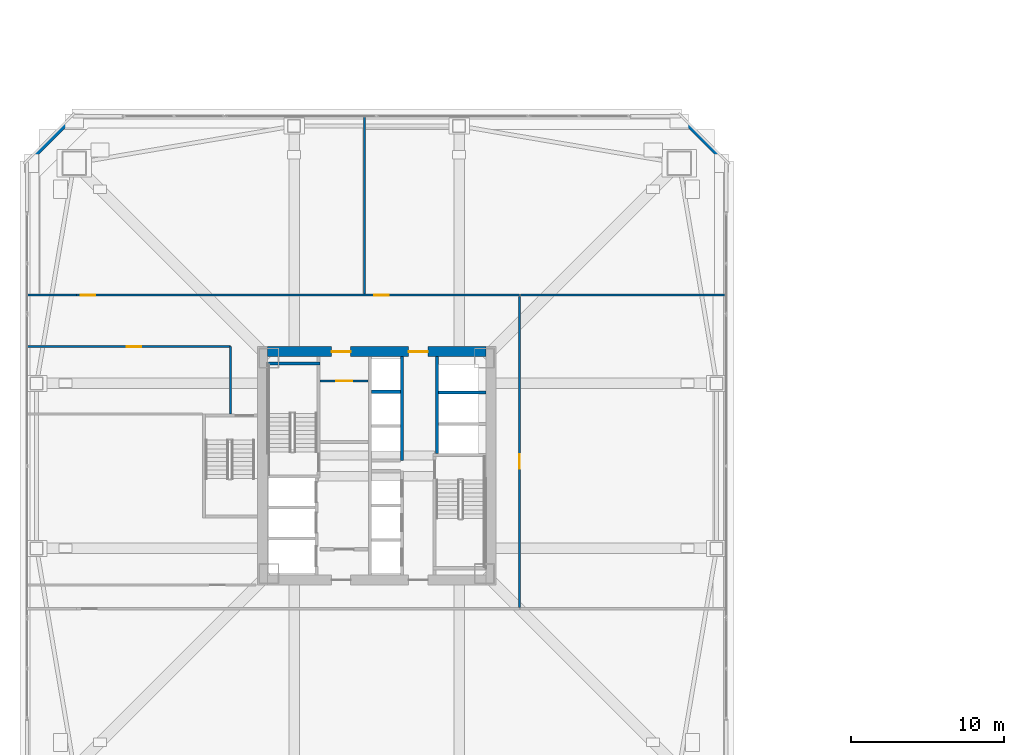
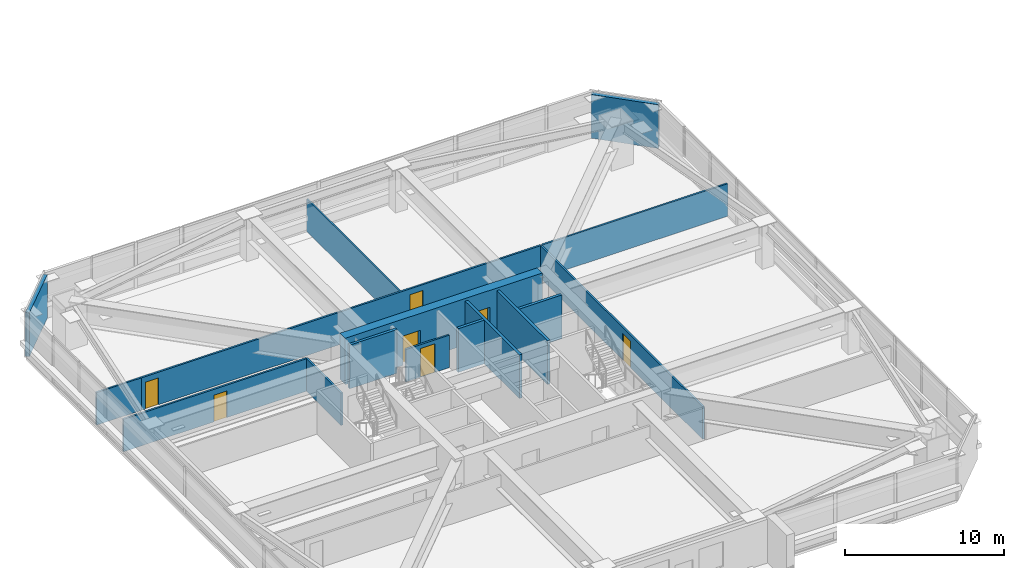
# One storey, part 39 of 48: 16 walls, 7 doors, 7 openings.
"""IFC4 building model written with IfcOpenShell, lengths in metres."""

import ifcopenshell
import ifcopenshell.guid

model = None  # the IFC model being written
_history = None  # IfcOwnerHistory: only IFC2X3 demands one
_inside = {}  # id of a spatial element -> (the spatial element, [elements in it])
_under = {}  # id of a project, library or spatial element -> (it, [spatial elements below it])
_declared = {}  # id of a project -> (the project, [libraries it declares])
_typed = {}  # id of a type object -> (the type object, [elements of that type])
_made_of = {}  # id of a material, layer set ... -> (it, [elements and type objects made of it])


def new_model(schema):
    """Start an empty IFC model of exactly this schema.

    Asked for "IFC4X3", IfcOpenShell would pick the latest addendum, in which some entities
    have other attributes; the version numbers below select the first issue.
    IFC2X3 requires an IfcOwnerHistory on every rooted entity: one is made here for all.
    """
    global model, _history
    if schema == "IFC4X3":
        model = ifcopenshell.file(schema_version=(4, 3, 0, 0))
    else:
        model = ifcopenshell.file(schema=schema)
    _inside.clear()
    _under.clear()
    _declared.clear()
    _typed.clear()
    _made_of.clear()
    _history = None
    if model.schema == "IFC2X3":
        org = make("IfcOrganization", Name="unknown")
        user = make(
            "IfcPersonAndOrganization",
            ThePerson=make("IfcPerson", FamilyName="unknown"),
            TheOrganization=org,
        )
        app = make(
            "IfcApplication",
            ApplicationDeveloper=org,
            Version="unknown",
            ApplicationFullName="unknown",
            ApplicationIdentifier="unknown",
        )
        _history = make(
            "IfcOwnerHistory",
            OwningUser=user,
            OwningApplication=app,
            ChangeAction="ADDED",
            CreationDate=0,
        )
    return model


def make(cls, **values):
    """One entity of the class cls with the attributes given. An attribute that is None is left unset."""
    return model.create_entity(
        cls, **{name: value for name, value in values.items() if value is not None}
    )


def rooted(cls, **values):
    """An entity with a GlobalId (a new one), such as an element, a storey or a relation."""
    return make(cls, GlobalId=ifcopenshell.guid.new(), OwnerHistory=_history, **values)


def si_unit(unit_type, name, prefix=None):
    """IfcSIUnit, for example si_unit("LENGTHUNIT", "METRE", prefix="MILLI")."""
    return make("IfcSIUnit", UnitType=unit_type, Prefix=prefix, Name=name)


def assignment(units):
    """IfcUnitAssignment: the units of a project."""
    return None if units is None else make("IfcUnitAssignment", Units=units)


def point(xyz):
    """IfcCartesianPoint."""
    return None if xyz is None else make("IfcCartesianPoint", Coordinates=xyz)


def direction(xyz):
    """IfcDirection."""
    return None if xyz is None else make("IfcDirection", DirectionRatios=xyz)


def frame(location, z_axis=None, x_axis=None):
    """IfcAxis2Placement3D, a coordinate frame: its origin and axes. An axis left out is left unset."""
    return make(
        "IfcAxis2Placement3D",
        Location=point(location),
        Axis=direction(z_axis),
        RefDirection=direction(x_axis),
    )


def frame_2d(location, x_axis=None):
    """IfcAxis2Placement2D, a coordinate frame in the plane: its origin and x axis."""
    return make(
        "IfcAxis2Placement2D", Location=point(location), RefDirection=direction(x_axis)
    )


def origin():
    """The frame at (0, 0, 0) with its axes left unset."""
    return frame((0.0, 0.0, 0.0))


def place(relative_to, where):
    """IfcLocalPlacement: puts the frame where relative to a parent placement (None: the world)."""
    return make(
        "IfcLocalPlacement", PlacementRelTo=relative_to, RelativePlacement=where
    )


def context(
    kind, dimensions, precision=None, world=None, true_north=None, identifier=None
):
    """IfcGeometricRepresentationContext, for example the 3D "Model" context."""
    return make(
        "IfcGeometricRepresentationContext",
        ContextIdentifier=identifier,
        ContextType=kind,
        CoordinateSpaceDimension=dimensions,
        Precision=precision,
        WorldCoordinateSystem=world,
        TrueNorth=true_north,
    )


def subcontext(parent, identifier, kind, view, scale=None):
    """IfcGeometricRepresentationSubContext, for example "Body" below "Model"."""
    return make(
        "IfcGeometricRepresentationSubContext",
        ContextIdentifier=identifier,
        ContextType=kind,
        ParentContext=parent,
        TargetScale=scale,
        TargetView=view,
    )


def project(units=None, contexts=None):
    """IfcProject with its units and contexts."""
    return rooted(
        "IfcProject",
        Name="project",
        RepresentationContexts=contexts,
        UnitsInContext=assignment(units),
    )


def spatial(cls, under=None, at=None, **own):
    """A site, building, storey or space (cls), placed at a placement, below another one or the project."""
    s = rooted(cls, ObjectPlacement=at, **own)
    if under is not None:
        _under.setdefault(under.id(), (under, []))[1].append(s)
    return s


def profile(cls, at=None, kind="AREA", **sizes):
    """A parametric profile (cls). Its sizes go by their IFC names, for example OverallWidth=200.0."""
    return make(cls, ProfileType=kind, Position=at, **sizes)


def rectangle(**sizes):
    """IfcRectangleProfileDef."""
    return profile("IfcRectangleProfileDef", **sizes)


def extrude(swept, where, along, depth):
    """IfcExtrudedAreaSolid: the profile swept, set in the frame where, extruded along a direction by depth."""
    return make(
        "IfcExtrudedAreaSolid",
        SweptArea=swept,
        Position=where,
        ExtrudedDirection=direction(along),
        Depth=depth,
    )


def shape(context_of_items, identifier, shape_type, items):
    """IfcShapeRepresentation: the items that make up one representation, for example the "Body"."""
    return make(
        "IfcShapeRepresentation",
        ContextOfItems=context_of_items,
        RepresentationIdentifier=identifier,
        RepresentationType=shape_type,
        Items=items,
    )


def material(Name=None, Category=None):
    """IfcMaterial."""
    return make("IfcMaterial", Name=Name, Category=Category)


def layer(
    of_material, thickness, ventilated=None, Name=None, Category=None, Priority=None
):
    """IfcMaterialLayer: one layer of a wall or slab, of a material (None: an air gap)."""
    return make(
        "IfcMaterialLayer",
        Material=of_material,
        LayerThickness=thickness,
        IsVentilated=ventilated,
        Name=Name,
        Category=Category,
        Priority=Priority,
    )


def layer_set(layers, Name=None):
    """IfcMaterialLayerSet."""
    return make("IfcMaterialLayerSet", MaterialLayers=layers, LayerSetName=Name)


def made_of(thing, what):
    """Note that an element or type object is made of a material, layer set ...; save() writes the relation."""
    if what is not None:
        _made_of.setdefault(what.id(), (what, []))[1].append(thing)
    return thing


def type_object(cls, material=None, **own):
    """A type object (cls), such as IfcWallType, which elements share."""
    return made_of(rooted(cls, **own), material)


def element(
    cls,
    number,
    at=None,
    inside=None,
    cuts=None,
    type_object=None,
    material=None,
    context=None,
    identifier="Body",
    shape_type=None,
    held_by="IfcProductDefinitionShape",
    body=None,
    shapes=None,
    **own,
):
    """One element of the class cls, such as IfcWall. Its Tag is "e" and its number.

    at: its placement. inside: the storey or other place that contains it. cuts: it is an
    opening in that element (IfcRelVoidsElement). A single representation is given by context,
    identifier, shape_type and body (its items); several are given by shapes. held_by: the class
    of the entity that holds the representations. save() writes the other relations.
    """
    e = rooted(cls, Tag="e%d" % number, ObjectPlacement=at, **own)
    if body is not None:
        shapes = [shape(context, identifier, shape_type, body)]
    if shapes is not None:
        e.Representation = make(held_by, Representations=shapes)
    if inside is not None:
        _inside.setdefault(inside.id(), (inside, []))[1].append(e)
    if cuts is not None:
        rooted(
            "IfcRelVoidsElement", RelatingBuildingElement=cuts, RelatedOpeningElement=e
        )
    if type_object is not None:
        _typed.setdefault(type_object.id(), (type_object, []))[1].append(e)
    return made_of(e, material)


def fill(opening, filler):
    """IfcRelFillsElement: the door or window that sits in an opening."""
    return rooted(
        "IfcRelFillsElement",
        RelatingOpeningElement=opening,
        RelatedBuildingElement=filler,
    )


def aggregate(whole, parts):
    """IfcRelAggregates: a whole, such as a stair, and the parts it consists of."""
    return rooted("IfcRelAggregates", RelatingObject=whole, RelatedObjects=parts)


def save(model, path):
    """Write the relations noted so far, then the file.

    IfcRelAggregates (storeys below a building ...), IfcRelContainedInSpatialStructure (elements
    in a storey), IfcRelDefinesByType, IfcRelAssociatesMaterial and IfcRelDeclares: one each for
    every whole, place, type object, material and project.
    """
    for whole, parts in _under.values():
        aggregate(whole, parts)
    for where, things in _inside.values():
        rooted(
            "IfcRelContainedInSpatialStructure",
            RelatedElements=things,
            RelatingStructure=where,
        )
    for kind, things in _typed.values():
        rooted("IfcRelDefinesByType", RelatedObjects=things, RelatingType=kind)
    for what, things in _made_of.values():
        rooted("IfcRelAssociatesMaterial", RelatedObjects=things, RelatingMaterial=what)
    for by, libraries in _declared.values():
        rooted("IfcRelDeclares", RelatingContext=by, RelatedDefinitions=libraries)
    model.write(path)


model = new_model("IFC4")

# Units and contexts
model_context = context("Model", 3, precision=1e-05, world=origin(), true_north=direction((0.0, 1.0)))
body_context = subcontext(model_context, "Body", "Model", "MODEL_VIEW")
ifc_project = project(units=[si_unit("LENGTHUNIT", "METRE"), si_unit("AREAUNIT", "SQUARE_METRE"), si_unit("VOLUMEUNIT", "CUBIC_METRE"), si_unit("PLANEANGLEUNIT", "RADIAN"), si_unit("MASSUNIT", "GRAM", prefix="KILO")], contexts=[model_context])

# Site, building, storey
site_placement = place(None, origin())
site = spatial("IfcSite", under=ifc_project, at=site_placement, CompositionType="ELEMENT")
building_placement = place(site_placement, origin())
building = spatial("IfcBuilding", under=site, at=building_placement, Name="Tashvorn Skyway Center", CompositionType="ELEMENT")
storey_placement = place(building_placement, frame((0.0, 0.0, 63.64990234375)))
storey = spatial("IfcBuildingStorey", under=building, at=storey_placement, Name="L16", CompositionType="ELEMENT", Elevation=63.64990234375)

# Wall, openings, doors
ifc_material_1 = material(Name="Concrete C60/75", Category="concrete")
ifc_layer_1 = layer(ifc_material_1, 0.64990234375)
ifc_layer_set_1 = layer_set([ifc_layer_1], Name="Concrete C60/75")
wall_type_1 = type_object("IfcWallType", Name="WALL-CORE-650", PredefinedType="SHEAR", material=ifc_layer_set_1)
wall_1_placement = place(storey_placement, frame((34.85009765625, 39.47509765625, 0.0), z_axis=(0.0, 0.0, 1.0), x_axis=(1.0, 0.0, 0.0)))
wall_1 = element("IfcWall", 1, at=wall_1_placement, inside=storey, type_object=wall_type_1, Name="Tower 1 L16 North Core Shear Wall", PredefinedType="SHEAR", context=body_context, shape_type="SweptSolid", body=[
    extrude(rectangle(XDim=14.2998046875, YDim=0.64990234375, at=frame_2d((7.14990234375, 0.0))), origin(), (0.0, 0.0, 1.0), 3.550048828125),
])
opening_1_placement = place(wall_1_placement, frame((4.199951171875, 0.0, 0.0)))
opening_1 = element("IfcOpeningElement", 2, at=opening_1_placement, cuts=wall_1, Name="Opening D-FFL-1250", PredefinedType="OPENING", context=body_context, shape_type="SweptSolid", body=[
    extrude(rectangle(XDim=1.25, YDim=2.25, at=frame_2d((0.625, 1.125))), frame((0.0, 0.3349609375, 0.0), z_axis=(0.0, -1.0, 0.0), x_axis=(1.0, 0.0, 0.0)), (0.0, 0.0, 1.0), 0.669921875),
])
opening_2_placement = place(wall_1_placement, frame((9.25, 0.0, 0.0)))
opening_2 = element("IfcOpeningElement", 3, at=opening_2_placement, cuts=wall_1, Name="Opening D-FFL-1250", PredefinedType="OPENING", context=body_context, shape_type="SweptSolid", body=[
    extrude(rectangle(XDim=1.25, YDim=2.25, at=frame_2d((0.625, 1.125))), frame((0.0, 0.3349609375, 0.0), z_axis=(0.0, -1.0, 0.0), x_axis=(1.0, 0.0, 0.0)), (0.0, 0.0, 1.0), 0.669921875),
])
ifc_material_2 = material(Name="Hollow galvanized steel fire door assembly", Category="steel")
door_type_1 = type_object("IfcDoorType", Name="DOOR-FFL-1250", OperationType="NOTDEFINED", PredefinedType="DOOR", material=ifc_material_2)
door_1_placement = place(opening_1_placement, origin())
door_1 = element("IfcDoor", 4, at=door_1_placement, inside=storey, type_object=door_type_1, Name="Tower 1 L16 Core North Service Lobby Door", OperationType="SINGLE_SWING_LEFT", OverallHeight=2.25, OverallWidth=1.25, PredefinedType="DOOR", context=body_context, shape_type="SweptSolid", body=[
    extrude(rectangle(XDim=1.25, YDim=2.25, at=frame_2d((0.625, 1.125))), frame((0.0, 0.02490234375, 0.0), z_axis=(0.0, -1.0, 0.0), x_axis=(1.0, 0.0, 0.0)), (0.0, 0.0, 1.0), 0.050048828125),
])
fill(opening_1, door_1)
door_2_placement = place(opening_2_placement, origin())
door_2 = element("IfcDoor", 5, at=door_2_placement, inside=storey, type_object=door_type_1, Name="Tower 1 L16 Core North Lift Lobby Door", OperationType="SINGLE_SWING_RIGHT", OverallHeight=2.25, OverallWidth=1.25, PredefinedType="DOOR", context=body_context, shape_type="SweptSolid", body=[
    extrude(rectangle(XDim=1.25, YDim=2.25, at=frame_2d((0.625, 1.125))), frame((0.0, 0.02490234375, 0.0), z_axis=(0.0, -1.0, 0.0), x_axis=(1.0, 0.0, 0.0)), (0.0, 0.0, 1.0), 0.050048828125),
])
fill(opening_2, door_2)

# Walls
ifc_material_3 = material(Name="Precast concrete C40/50", Category="concrete")
ifc_layer_2 = layer(ifc_material_3, 0.280029296875)
ifc_layer_set_2 = layer_set([ifc_layer_2], Name="Precast concrete C40/50")
wall_type_2 = type_object("IfcWallType", Name="WALL-EXT-280", PredefinedType="SOLIDWALL", material=ifc_layer_set_2)
for number, where, z_axis, x_axis, name in (
    (6, (19.10009765625, 51.800048828125, 0.0), (0.0, 0.0, 1.0), (0.707106781187, 0.707106781187, 0.0), "Tower 1 L16 NW Precast Chamfer Wall"),
    (7, (61.800048828125, 54.89990234375, 0.0), (0.0, 0.0, 1.0), (0.707106781187, -0.707106781187, 0.0), "Tower 1 L16 NE Precast Chamfer Wall"),
):
    element("IfcWall", number, at=place(storey_placement, frame(where, z_axis=z_axis, x_axis=x_axis)), inside=storey, type_object=wall_type_2, Name=name, PredefinedType="SOLIDWALL", context=body_context, shape_type="SweptSolid", body=[
        extrude(rectangle(XDim=4.3837890625, YDim=0.280029296875, at=frame_2d((2.19189453125, 0.0))), origin(), (0.0, 0.0, 1.0), 3.35009765625),
    ])
ifc_material_4 = material(Name="Gypsum board on cold-formed steel stud framing", Category="steel")
ifc_layer_3 = layer(ifc_material_4, 0.110107421875)
ifc_layer_set_3 = layer_set([ifc_layer_3], Name="Gypsum board on cold-formed steel stud framing")
wall_type_3 = type_object("IfcWallType", Name="WALL-PART-110", PredefinedType="PARTITIONING", material=ifc_layer_set_3)
wall_2_placement = place(storey_placement, frame((41.199951171875, 43.25, 0.0), z_axis=(0.0, 0.0, 1.0), x_axis=(0.0, 1.0, 0.0)))
element("IfcWall", 8, at=wall_2_placement, inside=storey, type_object=wall_type_3, Name="Tower 1 L16 North Suite Partition 1", PredefinedType="PARTITIONING", context=body_context, shape_type="SweptSolid", body=[
    extrude(rectangle(XDim=11.6298828125, YDim=0.110107421875, at=frame_2d((5.81494140625, 0.0))), origin(), (0.0, 0.0, 1.0), 2.4931640625),
])
ifc_layer_4 = layer(ifc_material_4, 0.135009765625)
ifc_layer_set_4 = layer_set([ifc_layer_4], Name="Gypsum board on cold-formed steel stud framing")
wall_type_4 = type_object("IfcWallType", Name="WALL-PART-135", PredefinedType="PARTITIONING", material=ifc_layer_set_4)
wall_3_placement = place(storey_placement, frame((32.449951171875, 35.39990234375, 0.0), z_axis=(0.0, 0.0, 1.0), x_axis=(0.0, 1.0, 0.0)))
element("IfcWall", 9, at=wall_3_placement, inside=storey, type_object=wall_type_4, Name="Tower 1 L16 Stair 3 Access Corridor Wall", PredefinedType="PARTITIONING", context=body_context, shape_type="SweptSolid", body=[
    extrude(rectangle(XDim=4.400146484375, YDim=0.135009765625, at=frame_2d((2.2001953125, 0.0))), origin(), (0.0, 0.0, 1.0), 2.4931640625),
])

# Wall, openings, doors
wall_4_placement = place(storey_placement, frame((22.35009765625, 43.169921875, 0.0), z_axis=(0.0, 0.0, 1.0), x_axis=(1.0, 0.0, 0.0)))
wall_4 = element("IfcWall", 10, at=wall_4_placement, inside=storey, type_object=wall_type_4, Name="Tower 1 L16 North Suite Wall", PredefinedType="PARTITIONING", context=body_context, shape_type="SweptSolid", body=[
    extrude(rectangle(XDim=29.0, YDim=0.135009765625, at=frame_2d((14.5, 0.0))), origin(), (0.0, 0.0, 1.0), 2.4931640625),
])
opening_3_placement = place(wall_4_placement, frame((0.300048828125, 0.0, 0.0)))
opening_3 = element("IfcOpeningElement", 11, at=opening_3_placement, cuts=wall_4, Name="Opening D-INT-950", PredefinedType="OPENING", context=body_context, shape_type="SweptSolid", body=[
    extrude(rectangle(XDim=0.949951171875, YDim=2.050048828125, at=frame_2d((0.47509765625, 1.02490234375))), frame((0.0, 0.077392578125, 0.0), z_axis=(0.0, -1.0, 0.0), x_axis=(1.0, 0.0, 0.0)), (0.0, 0.0, 1.0), 0.155029296875),
])
opening_4_placement = place(wall_4_placement, frame((19.480712890625, 0.0, 0.0)))
opening_4 = element("IfcOpeningElement", 12, at=opening_4_placement, cuts=wall_4, Name="Opening D-INT-950", PredefinedType="OPENING", context=body_context, shape_type="SweptSolid", body=[
    extrude(rectangle(XDim=0.949951171875, YDim=2.050048828125, at=frame_2d((0.47509765625, 1.02490234375))), frame((0.0, 0.077392578125, 0.0), z_axis=(0.0, -1.0, 0.0), x_axis=(1.0, 0.0, 0.0)), (0.0, 0.0, 1.0), 0.155029296875),
])
ifc_material_5 = material(Name="Solid-core architectural oak veneer door")
door_type_2 = type_object("IfcDoorType", Name="DOOR-INT-950", OperationType="NOTDEFINED", PredefinedType="DOOR", material=ifc_material_5)
door_3_placement = place(opening_3_placement, origin())
door_3 = element("IfcDoor", 13, at=door_3_placement, inside=storey, type_object=door_type_2, Name="Tower 1 L16 Gallery Showroom Door", OperationType="SINGLE_SWING_LEFT", OverallHeight=2.050048828125, OverallWidth=0.949951171875, PredefinedType="DOOR", context=body_context, shape_type="SweptSolid", body=[
    extrude(rectangle(XDim=0.949951171875, YDim=2.050048828125, at=frame_2d((0.47509765625, 1.02490234375))), frame((0.0, 0.02490234375, 0.0), z_axis=(0.0, -1.0, 0.0), x_axis=(1.0, 0.0, 0.0)), (0.0, 0.0, 1.0), 0.050048828125),
])
fill(opening_3, door_3)
door_4_placement = place(opening_4_placement, origin())
door_4 = element("IfcDoor", 14, at=door_4_placement, inside=storey, type_object=door_type_2, Name="Tower 1 L16 Gallery Showroom Door", OperationType="SINGLE_SWING_RIGHT", OverallHeight=2.050048828125, OverallWidth=0.949951171875, PredefinedType="DOOR", context=body_context, shape_type="SweptSolid", body=[
    extrude(rectangle(XDim=0.949951171875, YDim=2.050048828125, at=frame_2d((0.47509765625, 1.02490234375))), frame((0.0, 0.02490234375, 0.0), z_axis=(0.0, -1.0, 0.0), x_axis=(1.0, 0.0, 0.0)), (0.0, 0.0, 1.0), 0.050048828125),
])
fill(opening_4, door_4)

# Wall
wall_5_placement = place(storey_placement, frame((19.1201171875, 43.169921875, 0.0), z_axis=(0.0, 0.0, 1.0), x_axis=(1.0, 0.0, 0.0)))
element("IfcWall", 15, at=wall_5_placement, inside=storey, type_object=wall_type_4, Name="Tower 1 L16 North-West Suite South Wall", PredefinedType="PARTITIONING", context=body_context, shape_type="SweptSolid", body=[
    extrude(rectangle(XDim=3.22998046875, YDim=0.135009765625, at=frame_2d((1.614990234375, 0.0))), origin(), (0.0, 0.0, 1.0), 2.4931640625),
])

# Wall, opening, door
wall_6_placement = place(storey_placement, frame((51.35009765625, 43.090087890625, 0.0), z_axis=(0.0, 0.0, 1.0), x_axis=(0.0, -1.0, 0.0)))
wall_6 = element("IfcWall", 16, at=wall_6_placement, inside=storey, type_object=wall_type_4, Name="Tower 1 L16 East Inner Suite Wall", PredefinedType="PARTITIONING", context=body_context, shape_type="SweptSolid", body=[
    extrude(rectangle(XDim=20.360107421875, YDim=0.135009765625, at=frame_2d((10.18017578125, 0.0))), origin(), (0.0, 0.0, 1.0), 2.4931640625),
])
opening_5_placement = place(wall_6_placement, frame((10.33203125, 0.0, 0.0)))
opening_5 = element("IfcOpeningElement", 17, at=opening_5_placement, cuts=wall_6, Name="Opening D-INT-950", PredefinedType="OPENING", context=body_context, shape_type="SweptSolid", body=[
    extrude(rectangle(XDim=0.949951171875, YDim=2.050048828125, at=frame_2d((0.47509765625, 1.02490234375))), frame((0.0, 0.077392578125, 0.0), z_axis=(0.0, -1.0, 0.0), x_axis=(1.0, 0.0, 0.0)), (0.0, 0.0, 1.0), 0.155029296875),
])
door_5_placement = place(opening_5_placement, origin())
door_5 = element("IfcDoor", 18, at=door_5_placement, inside=storey, type_object=door_type_2, Name="Tower 1 L16 Conference Room Door", OperationType="SINGLE_SWING_RIGHT", OverallHeight=2.050048828125, OverallWidth=0.949951171875, PredefinedType="DOOR", context=body_context, shape_type="SweptSolid", body=[
    extrude(rectangle(XDim=0.949951171875, YDim=2.050048828125, at=frame_2d((0.47509765625, 1.02490234375))), frame((0.0, 0.02490234375, 0.0), z_axis=(0.0, -1.0, 0.0), x_axis=(1.0, 0.0, 0.0)), (0.0, 0.0, 1.0), 0.050048828125),
])
fill(opening_5, door_5)

# Wall
wall_7_placement = place(storey_placement, frame((64.8798828125, 43.169921875, 0.0), z_axis=(0.0, 0.0, 1.0), x_axis=(-1.0, 0.0, 0.0)))
element("IfcWall", 19, at=wall_7_placement, inside=storey, type_object=wall_type_4, Name="Tower 1 L16 East Suite North Wall", PredefinedType="PARTITIONING", context=body_context, shape_type="SweptSolid", body=[
    extrude(rectangle(XDim=13.449951171875, YDim=0.135009765625, at=frame_2d((6.72509765625, 0.0))), origin(), (0.0, 0.0, 1.0), 2.4931640625),
])

# Wall, opening, door
wall_8_placement = place(storey_placement, frame((32.449951171875, 39.800048828125, 0.0), z_axis=(0.0, 0.0, 1.0), x_axis=(-1.0, 0.0, 0.0)))
wall_8 = element("IfcWall", 20, at=wall_8_placement, inside=storey, type_object=wall_type_4, Name="Tower 1 L16 West Suite North Wall", PredefinedType="PARTITIONING", context=body_context, shape_type="SweptSolid", body=[
    extrude(rectangle(XDim=13.329833984375, YDim=0.135009765625, at=frame_2d((6.6650390625, 0.0))), origin(), (0.0, 0.0, 1.0), 2.4931640625),
])
opening_6_placement = place(wall_8_placement, frame((5.840087890625, 0.0, 0.0)))
opening_6 = element("IfcOpeningElement", 21, at=opening_6_placement, cuts=wall_8, Name="Opening D-INT-950", PredefinedType="OPENING", context=body_context, shape_type="SweptSolid", body=[
    extrude(rectangle(XDim=0.949951171875, YDim=2.050048828125, at=frame_2d((0.47509765625, 1.02490234375))), frame((0.0, 0.077392578125, 0.0), z_axis=(0.0, -1.0, 0.0), x_axis=(1.0, 0.0, 0.0)), (0.0, 0.0, 1.0), 0.155029296875),
])
door_6_placement = place(opening_6_placement, origin())
door_6 = element("IfcDoor", 22, at=door_6_placement, inside=storey, type_object=door_type_2, Name="Tower 1 L16 Collaborative Studio Door", OperationType="SINGLE_SWING_LEFT", OverallHeight=2.050048828125, OverallWidth=0.949951171875, PredefinedType="DOOR", context=body_context, shape_type="SweptSolid", body=[
    extrude(rectangle(XDim=0.949951171875, YDim=2.050048828125, at=frame_2d((0.47509765625, 1.02490234375))), frame((0.0, 0.02490234375, 0.0), z_axis=(0.0, -1.0, 0.0), x_axis=(1.0, 0.0, 0.0)), (0.0, 0.0, 1.0), 0.050048828125),
])
fill(opening_6, door_6)

ifc_layer_5 = layer(ifc_material_4, 0.135009765625)
ifc_layer_set_5 = layer_set([ifc_layer_5], Name="Gypsum board on cold-formed steel stud framing")
wall_type_5 = type_object("IfcWallType", Name="WALL-RATED-135", PredefinedType="PARTITIONING", material=ifc_layer_set_5)
wall_9_placement = place(storey_placement, frame((38.300048828125, 37.550048828125, 0.0), z_axis=(0.0, 0.0, 1.0), x_axis=(1.0, 0.0, 0.0)))
wall_9 = element("IfcWall", 23, at=wall_9_placement, inside=storey, type_object=wall_type_5, Name="Tower 1 L16 Core Service Lobby Wall", PredefinedType="PARTITIONING", context=body_context, shape_type="SweptSolid", body=[
    extrude(rectangle(XDim=3.14990234375, YDim=0.135009765625, at=frame_2d((1.574951171875, 0.0))), origin(), (0.0, 0.0, 1.0), 2.4931640625),
])
opening_7_placement = place(wall_9_placement, frame((1.050048828125, 0.0, 0.0)))
opening_7 = element("IfcOpeningElement", 24, at=opening_7_placement, cuts=wall_9, Name="Opening D-RT-1050", PredefinedType="OPENING", context=body_context, shape_type="SweptSolid", body=[
    extrude(rectangle(XDim=1.050048828125, YDim=2.199951171875, at=frame_2d((0.52490234375, 1.10009765625))), frame((0.0, 0.077392578125, 0.0), z_axis=(0.0, -1.0, 0.0), x_axis=(1.0, 0.0, 0.0)), (0.0, 0.0, 1.0), 0.155029296875),
])
door_type_3 = type_object("IfcDoorType", Name="DOOR-RATED-1050", OperationType="NOTDEFINED", PredefinedType="DOOR", material=ifc_material_2)
door_7_placement = place(opening_7_placement, origin())
door_7 = element("IfcDoor", 25, at=door_7_placement, inside=storey, type_object=door_type_3, Name="Tower 1 L16 Core Accessible WC Door", OperationType="SINGLE_SWING_LEFT", OverallHeight=2.199951171875, OverallWidth=1.050048828125, PredefinedType="DOOR", context=body_context, shape_type="SweptSolid", body=[
    extrude(rectangle(XDim=1.050048828125, YDim=2.199951171875, at=frame_2d((0.52490234375, 1.10009765625))), frame((0.0, 0.02490234375, 0.0), z_axis=(0.0, -1.0, 0.0), x_axis=(1.0, 0.0, 0.0)), (0.0, 0.0, 1.0), 0.050048828125),
])
fill(opening_7, door_7)

# Walls
ifc_material_6 = material(Name="Concrete C40/50", Category="concrete")
ifc_layer_6 = layer(ifc_material_6, 0.199951171875)
ifc_layer_set_6 = layer_set([ifc_layer_6], Name="Concrete C40/50")
wall_type_6 = type_object("IfcWallType", Name="WALL-SHAFT-200", PredefinedType="SOLIDWALL", material=ifc_layer_set_6)
wall_10_placement = place(storey_placement, frame((46.050048828125, 36.800048828125, 0.0), z_axis=(0.0, 0.0, 1.0), x_axis=(1.0, 0.0, 0.0)))
element("IfcWall", 26, at=wall_10_placement, inside=storey, type_object=wall_type_6, Name="Tower 1 L16 High-Rise Shaft Divider", PredefinedType="SOLIDWALL", context=body_context, shape_type="SweptSolid", body=[
    extrude(rectangle(XDim=3.099853515625, YDim=0.199951171875, at=frame_2d((1.5498046875, 0.0))), origin(), (0.0, 0.0, 1.0), 3.35009765625),
])
wall_11_placement = place(storey_placement, frame((43.64990234375, 32.35009765625, 0.0), z_axis=(0.0, 0.0, 1.0), x_axis=(0.0, 1.0, 0.0)))
element("IfcWall", 27, at=wall_11_placement, inside=storey, type_object=wall_type_6, Name="Tower 1 L16 Mid-Rise Core Wall", PredefinedType="SOLIDWALL", context=body_context, shape_type="SweptSolid", body=[
    extrude(rectangle(XDim=6.7998046875, YDim=0.199951171875, at=frame_2d((3.39990234375, 0.0))), origin(), (0.0, 0.0, 1.0), 3.35009765625),
])
wall_12_placement = place(storey_placement, frame((41.669921875, 36.85009765625, 0.0), z_axis=(0.0, 0.0, 1.0), x_axis=(1.0, 0.0, 0.0)))
element("IfcWall", 28, at=wall_12_placement, inside=storey, type_object=wall_type_6, Name="Tower 1 L16 Mid-Rise Shaft Divider", PredefinedType="SOLIDWALL", context=body_context, shape_type="SweptSolid", body=[
    extrude(rectangle(XDim=1.880126953125, YDim=0.199951171875, at=frame_2d((0.93994140625, 0.0))), origin(), (0.0, 0.0, 1.0), 3.35009765625),
])
ifc_layer_7 = layer(ifc_material_6, 0.199951171875)
ifc_layer_set_7 = layer_set([ifc_layer_7], Name="Concrete C40/50")
wall_type_7 = type_object("IfcWallType", Name="WALL-STSHF-200", PredefinedType="SHEAR", material=ifc_layer_set_7)
wall_13_placement = place(storey_placement, frame((34.85009765625, 38.699951171875, 0.0), z_axis=(0.0, 0.0, 1.0), x_axis=(1.0, 0.0, 0.0)))
element("IfcWall", 29, at=wall_13_placement, inside=storey, type_object=wall_type_7, Name="Tower 1 L16 Stair 1 North Wall", PredefinedType="SHEAR", context=body_context, shape_type="SweptSolid", body=[
    extrude(rectangle(XDim=3.449951171875, YDim=0.199951171875, at=frame_2d((1.72509765625, 0.0))), origin(), (0.0, 0.0, 1.0), 3.35009765625),
])
wall_14_placement = place(storey_placement, frame((45.949951171875, 39.14990234375, 0.0), z_axis=(0.0, 0.0, 1.0), x_axis=(0.0, -1.0, 0.0)))
element("IfcWall", 30, at=wall_14_placement, inside=storey, type_object=wall_type_7, Name="Tower 1 L16 High-Rise Lift Shaft Front Wall", PredefinedType="SHEAR", context=body_context, shape_type="SweptSolid", body=[
    extrude(rectangle(XDim=6.349853515625, YDim=0.199951171875, at=frame_2d((3.1748046875, 0.0))), origin(), (0.0, 0.0, 1.0), 3.35009765625),
])

save(model, "model.ifc")
